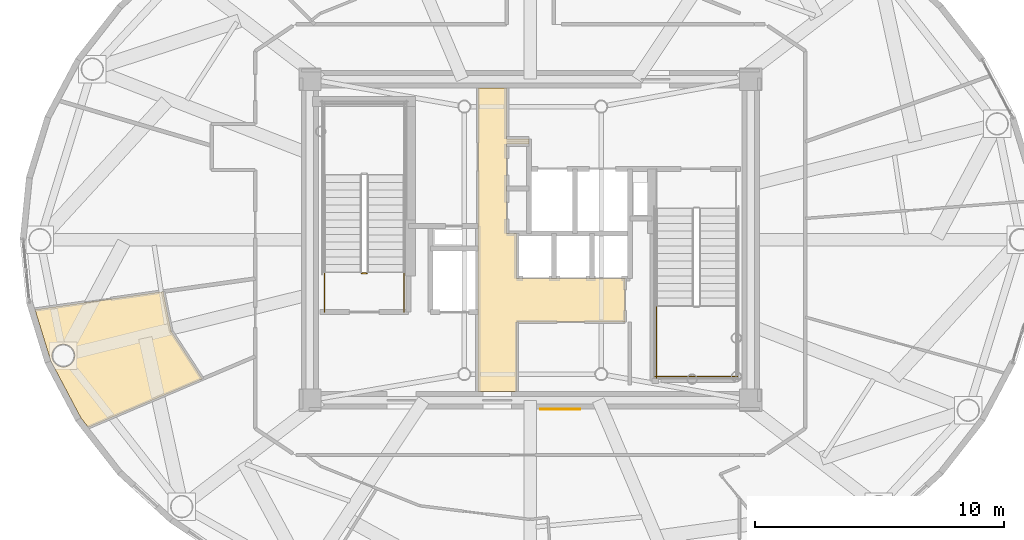
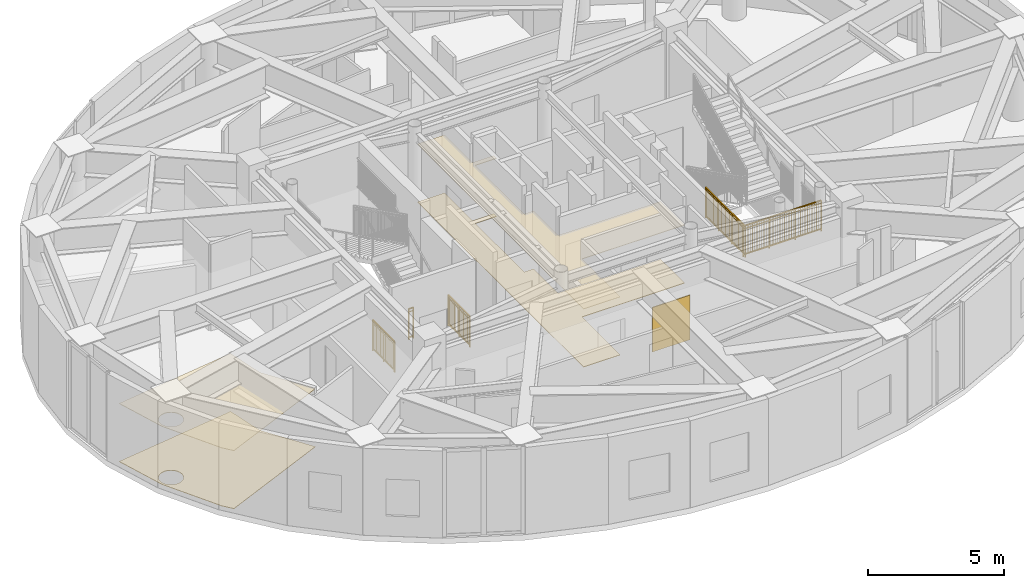
# One storey, part 18 of 23: 5 coverings, 5 railings.
"""IFC4 building model written with IfcOpenShell, lengths in metres."""

from ifc_helpers import new_model, si_unit, direction, frame, origin, origin_2d, place, context, subcontext, project, spatial, polyline, rectangle, outline, extrude, source, transform, mapped, material, layer, layer_set, type_object, element, save


model = new_model("IFC4")

# Units and contexts
model_context = context("Model", 3, precision=1e-05, world=origin(), true_north=direction((0.0, 1.0)))
body_context = subcontext(model_context, "Body", "Model", "MODEL_VIEW")
ifc_project = project(units=[si_unit("LENGTHUNIT", "METRE"), si_unit("AREAUNIT", "SQUARE_METRE"), si_unit("VOLUMEUNIT", "CUBIC_METRE"), si_unit("PLANEANGLEUNIT", "RADIAN"), si_unit("MASSUNIT", "GRAM", prefix="KILO")], contexts=[model_context])

# Site, building, storey
site_placement = place(None, origin())
site = spatial("IfcSite", under=ifc_project, at=site_placement, CompositionType="ELEMENT")
building_placement = place(site_placement, origin())
building = spatial("IfcBuilding", under=site, at=building_placement, Name="Linh Dai School and Residence Tower", CompositionType="ELEMENT")
storey_placement = place(building_placement, frame((0.0, 0.0, 359.39990234375)))
storey = spatial("IfcBuildingStorey", under=building, at=storey_placement, Name="L89", CompositionType="ELEMENT", Elevation=359.39990234375)

# Coverings
ifc_material_1 = material(Name="Mineral Fibre Acoustic Suspended Ceiling", Category="masonry")
ifc_layer_1 = layer(ifc_material_1, 0.02001953125)
ifc_layer_set_1 = layer_set([ifc_layer_1], Name="Mineral Fibre Acoustic Suspended Ceiling")
covering_type_1 = type_object("IfcCoveringType", Name="COV-CEIL-AC-20", PredefinedType="CEILING", material=ifc_layer_set_1)
covering_1_placement = place(storey_placement, frame((0.0, 0.0, 2.60009765625)))
element("IfcCovering", 1, at=covering_1_placement, inside=storey, type_object=covering_type_1, Name="L89 Passenger Lift Lobby Suspended Ceiling", PredefinedType="CEILING", context=body_context, shape_type="SweptSolid", body=[
    extrude(outline(polyline([(35.050048828125, 33.10009765625), (35.050048828125, 31.050048828125), (35.949951171875, 31.050048828125), (35.949951171875, 30.85009765625), (35.050048828125, 30.85009765625), (35.050048828125, 27.25), (35.449951171875, 27.25), (35.449951171875, 25.449951171875), (39.800048828125, 25.449951171875), (39.800048828125, 23.699951171875), (35.449951171875, 23.699951171875), (35.449951171875, 20.89990234375), (33.89990234375, 20.89990234375), (33.89990234375, 33.10009765625), (35.050048828125, 33.10009765625)])), origin(), (0.0, 0.0, 1.0), 0.02001953125),
])
covering_2_placement = place(storey_placement, frame((0.0, 0.0, 2.60009765625)))
element("IfcCovering", 2, at=covering_2_placement, inside=storey, type_object=covering_type_1, Name="L89 Amenity Tea Salon Suspended Ceiling", PredefinedType="CEILING", context=body_context, shape_type="SweptSolid", body=[
    extrude(outline(polyline([(16.104248046875, 24.189697265625), (21.251220703125, 24.916748046875), (21.572509765625, 23.32861328125), (22.822998046875, 21.40673828125), (18.24462890625, 19.46337890625), (17.94384765625, 19.847412109375), (16.734375, 22.134521484375), (16.104248046875, 24.189697265625)]), holes=[polyline([(17.6884765625, 22.46484375), (17.642333984375, 22.576416015625), (17.569091796875, 22.672119140625), (17.473388671875, 22.745361328125), (17.36181640625, 22.79150390625), (17.2421875, 22.807373046875), (17.122802734375, 22.79150390625), (17.01123046875, 22.745361328125), (16.91552734375, 22.672119140625), (16.84228515625, 22.576416015625), (16.7958984375, 22.46484375), (16.7802734375, 22.34521484375), (16.7958984375, 22.2255859375), (16.84228515625, 22.1142578125), (16.91552734375, 22.0185546875), (17.01123046875, 21.9453125), (17.122802734375, 21.89892578125), (17.2421875, 21.88330078125), (17.36181640625, 21.89892578125), (17.473388671875, 21.9453125), (17.569091796875, 22.0185546875), (17.642333984375, 22.1142578125), (17.6884765625, 22.2255859375), (17.704345703125, 22.34521484375), (17.6884765625, 22.46484375)])]), origin(), (0.0, 0.0, 1.0), 0.02001953125),
])
ifc_material_2 = material(Name="Polished Terrazzo Floor Finish", Category="masonry")
ifc_layer_2 = layer(ifc_material_2, 0.02490234375)
ifc_layer_set_2 = layer_set([ifc_layer_2], Name="Polished Terrazzo Floor Finish")
covering_type_2 = type_object("IfcCoveringType", Name="COV-FLR-TRZ-25", PredefinedType="FLOORING", material=ifc_layer_set_2)
covering_3_placement = place(storey_placement, origin())
element("IfcCovering", 3, at=covering_3_placement, inside=storey, type_object=covering_type_2, Name="L89 Passenger Lift Lobby Floor Finish", PredefinedType="FLOORING", context=body_context, shape_type="SweptSolid", body=[
    extrude(outline(polyline([(35.050048828125, 33.10009765625), (35.050048828125, 31.050048828125), (35.949951171875, 31.050048828125), (35.949951171875, 30.85009765625), (35.050048828125, 30.85009765625), (35.050048828125, 27.25), (35.449951171875, 27.25), (35.449951171875, 25.449951171875), (39.800048828125, 25.449951171875), (39.800048828125, 23.699951171875), (35.449951171875, 23.699951171875), (35.449951171875, 20.89990234375), (33.89990234375, 20.89990234375), (33.89990234375, 33.10009765625), (35.050048828125, 33.10009765625)])), origin(), (0.0, 0.0, 1.0), 0.02001953125),
])
covering_4_placement = place(storey_placement, origin())
element("IfcCovering", 4, at=covering_4_placement, inside=storey, type_object=covering_type_2, Name="L89 Amenity Tea Salon Floor Finish", PredefinedType="FLOORING", context=body_context, shape_type="SweptSolid", body=[
    extrude(outline(polyline([(16.104248046875, 24.189697265625), (21.251220703125, 24.916748046875), (21.572509765625, 23.32861328125), (22.822998046875, 21.40673828125), (18.24462890625, 19.46337890625), (17.94384765625, 19.847412109375), (16.734375, 22.134521484375), (16.104248046875, 24.189697265625)]), holes=[polyline([(17.6884765625, 22.46484375), (17.642333984375, 22.576416015625), (17.569091796875, 22.672119140625), (17.473388671875, 22.745361328125), (17.36181640625, 22.79150390625), (17.2421875, 22.807373046875), (17.122802734375, 22.79150390625), (17.01123046875, 22.745361328125), (16.91552734375, 22.672119140625), (16.84228515625, 22.576416015625), (16.7958984375, 22.46484375), (16.7802734375, 22.34521484375), (16.7958984375, 22.2255859375), (16.84228515625, 22.1142578125), (16.91552734375, 22.0185546875), (17.01123046875, 21.9453125), (17.122802734375, 21.89892578125), (17.2421875, 21.88330078125), (17.36181640625, 21.89892578125), (17.473388671875, 21.9453125), (17.569091796875, 22.0185546875), (17.642333984375, 22.1142578125), (17.6884765625, 22.2255859375), (17.704345703125, 22.34521484375), (17.6884765625, 22.46484375)])]), origin(), (0.0, 0.0, 1.0), 0.02001953125),
])

# Railings
ifc_material_3 = material(Name="Structural Steel S355JR", Category="steel")
railing_type = type_object("IfcRailingType", Name="RL-ST-GUARD-1400", PredefinedType="GUARDRAIL", material=ifc_material_3)
shared_shape_1 = source(origin(), body_context, "Body", "SweptSolid", [
    extrude(rectangle(XDim=0.048095703125, YDim=0.048095703125, at=origin_2d()), frame((0.0, 0.0, 1.3759765625), z_axis=(-1.0, 0.0, 0.0), x_axis=(0.0, -1.0, 0.0)), (0.0, 0.0, 1.0), 0.199951171875),
    extrude(rectangle(XDim=0.048095703125, YDim=0.048095703125, at=origin_2d()), frame((0.0, 0.0, 0.10009765625), z_axis=(-1.0, 0.0, 0.0), x_axis=(0.0, -1.0, 0.0)), (0.0, 0.0, 1.0), 0.199951171875),
    extrude(rectangle(XDim=0.030029296875, YDim=0.030029296875, at=origin_2d()), frame((0.0, 0.0, 1.239990234375), z_axis=(-1.0, 0.0, 0.0), x_axis=(0.0, -1.0, 0.0)), (0.0, 0.0, 1.0), 0.199951171875),
    extrude(rectangle(XDim=0.0419921875, YDim=0.0419921875, at=origin_2d()), origin(), (0.0, 0.0, 1.0), 1.3759765625),
    extrude(rectangle(XDim=0.0419921875, YDim=0.0419921875, at=origin_2d()), frame((-0.199951171875, 0.0, 0.0)), (0.0, 0.0, 1.0), 1.3759765625),
])
railing_1_placement = place(storey_placement, frame((29.429931640625, 25.64990234375, 0.0)))
element("IfcRailing", 5, at=railing_1_placement, inside=storey, type_object=railing_type, Name="L89 ST1 stair guard 7", PredefinedType="GUARDRAIL", context=body_context, shape_type="MappedRepresentation", body=[
    mapped(shared_shape_1, transform((0.0, 0.0, 0.0), x_axis=(1.0, 0.0, 0.0), y_axis=(0.0, 1.0, 0.0), z_axis=(0.0, 0.0, 1.0), scale=1.0)),
])
shared_shape_2 = source(origin(), body_context, "Body", "SweptSolid", [
    extrude(rectangle(XDim=0.048095703125, YDim=0.048095703125, at=origin_2d()), frame((0.0, 0.0, 1.3759765625), z_axis=(0.0, 1.0, 0.0), x_axis=(-1.0, 0.0, 0.0)), (0.0, 0.0, 1.0), 1.599853515625),
    extrude(rectangle(XDim=0.048095703125, YDim=0.048095703125, at=origin_2d()), frame((0.0, 0.0, 0.10009765625), z_axis=(0.0, 1.0, 0.0), x_axis=(-1.0, 0.0, 0.0)), (0.0, 0.0, 1.0), 1.599853515625),
    extrude(rectangle(XDim=0.030029296875, YDim=0.030029296875, at=origin_2d()), frame((0.0, 0.0, 1.239990234375), z_axis=(0.0, 1.0, 0.0), x_axis=(-1.0, 0.0, 0.0)), (0.0, 0.0, 1.0), 1.599853515625),
    extrude(rectangle(XDim=0.02001953125, YDim=0.02001953125, at=origin_2d()), frame((0.0, 0.093994140625, 0.10009765625)), (0.0, 0.0, 1.0), 1.251708984375),
    extrude(rectangle(XDim=0.02001953125, YDim=0.02001953125, at=origin_2d()), frame((0.0, 0.188232421875, 0.10009765625)), (0.0, 0.0, 1.0), 1.251708984375),
    extrude(rectangle(XDim=0.02001953125, YDim=0.02001953125, at=origin_2d()), frame((0.0, 0.2822265625, 0.10009765625)), (0.0, 0.0, 1.0), 1.251708984375),
    extrude(rectangle(XDim=0.02001953125, YDim=0.02001953125, at=origin_2d()), frame((0.0, 0.37646484375, 0.10009765625)), (0.0, 0.0, 1.0), 1.251708984375),
    extrude(rectangle(XDim=0.02001953125, YDim=0.02001953125, at=origin_2d()), frame((0.0, 0.470458984375, 0.10009765625)), (0.0, 0.0, 1.0), 1.251708984375),
    extrude(rectangle(XDim=0.02001953125, YDim=0.02001953125, at=origin_2d()), frame((0.0, 0.564697265625, 0.10009765625)), (0.0, 0.0, 1.0), 1.251708984375),
    extrude(rectangle(XDim=0.02001953125, YDim=0.02001953125, at=origin_2d()), frame((0.0, 0.65869140625, 0.10009765625)), (0.0, 0.0, 1.0), 1.251708984375),
    extrude(rectangle(XDim=0.02001953125, YDim=0.02001953125, at=origin_2d()), frame((0.0, 0.7529296875, 0.10009765625)), (0.0, 0.0, 1.0), 1.251708984375),
    extrude(rectangle(XDim=0.02001953125, YDim=0.02001953125, at=origin_2d()), frame((0.0, 0.846923828125, 0.10009765625)), (0.0, 0.0, 1.0), 1.251708984375),
    extrude(rectangle(XDim=0.02001953125, YDim=0.02001953125, at=origin_2d()), frame((0.0, 0.941162109375, 0.10009765625)), (0.0, 0.0, 1.0), 1.251708984375),
    extrude(rectangle(XDim=0.02001953125, YDim=0.02001953125, at=origin_2d()), frame((0.0, 1.03515625, 0.10009765625)), (0.0, 0.0, 1.0), 1.251708984375),
    extrude(rectangle(XDim=0.02001953125, YDim=0.02001953125, at=origin_2d()), frame((0.0, 1.12939453125, 0.10009765625)), (0.0, 0.0, 1.0), 1.251708984375),
    extrude(rectangle(XDim=0.02001953125, YDim=0.02001953125, at=origin_2d()), frame((0.0, 1.223388671875, 0.10009765625)), (0.0, 0.0, 1.0), 1.251708984375),
    extrude(rectangle(XDim=0.02001953125, YDim=0.02001953125, at=origin_2d()), frame((0.0, 1.317626953125, 0.10009765625)), (0.0, 0.0, 1.0), 1.251708984375),
    extrude(rectangle(XDim=0.02001953125, YDim=0.02001953125, at=origin_2d()), frame((0.0, 1.41162109375, 0.10009765625)), (0.0, 0.0, 1.0), 1.251708984375),
    extrude(rectangle(XDim=0.02001953125, YDim=0.02001953125, at=origin_2d()), frame((0.0, 1.505859375, 0.10009765625)), (0.0, 0.0, 1.0), 1.251708984375),
    extrude(rectangle(XDim=0.0419921875, YDim=0.0419921875, at=origin_2d()), origin(), (0.0, 0.0, 1.0), 1.3759765625),
    extrude(rectangle(XDim=0.0419921875, YDim=0.0419921875, at=origin_2d()), frame((0.0, 0.7998046875, 0.0)), (0.0, 0.0, 1.0), 1.3759765625),
    extrude(rectangle(XDim=0.0419921875, YDim=0.0419921875, at=origin_2d()), frame((0.0, 1.599853515625, 0.0)), (0.0, 0.0, 1.0), 1.3759765625),
])
for number, where, name in (
    (6, (30.929931640625, 24.10009765625, 0.0), "L89 ST1 stair guard 8"),
    (7, (27.72998046875, 24.10009765625, 0.0), "L89 ST1 stair guard 9"),
):
    element("IfcRailing", number, at=place(storey_placement, frame(where)), inside=storey, type_object=railing_type, Name=name, PredefinedType="GUARDRAIL", context=body_context, shape_type="MappedRepresentation", body=[
        mapped(shared_shape_2, transform((0.0, 0.0, 0.0), x_axis=(1.0, 0.0, 0.0), y_axis=(0.0, 1.0, 0.0), z_axis=(0.0, 0.0, 1.0), scale=1.0)),
    ])
shared_shape_3 = source(origin(), body_context, "Body", "SweptSolid", [
    extrude(rectangle(XDim=0.048095703125, YDim=0.048095703125, at=origin_2d()), frame((0.0, 0.0, 1.3759765625), z_axis=(1.0, 0.0, 0.0), x_axis=(0.0, 1.0, 0.0)), (0.0, 0.0, 1.0), 3.300048828125),
    extrude(rectangle(XDim=0.048095703125, YDim=0.048095703125, at=origin_2d()), frame((0.0, 0.0, 0.10009765625), z_axis=(1.0, 0.0, 0.0), x_axis=(0.0, 1.0, 0.0)), (0.0, 0.0, 1.0), 3.300048828125),
    extrude(rectangle(XDim=0.030029296875, YDim=0.030029296875, at=origin_2d()), frame((0.0, 0.0, 1.239990234375), z_axis=(1.0, 0.0, 0.0), x_axis=(0.0, 1.0, 0.0)), (0.0, 0.0, 1.0), 3.300048828125),
    extrude(rectangle(XDim=0.02001953125, YDim=0.02001953125, at=origin_2d()), frame((0.09716796875, 0.0, 0.10009765625)), (0.0, 0.0, 1.0), 1.251708984375),
    extrude(rectangle(XDim=0.02001953125, YDim=0.02001953125, at=origin_2d()), frame((0.194091796875, 0.0, 0.10009765625)), (0.0, 0.0, 1.0), 1.251708984375),
    extrude(rectangle(XDim=0.02001953125, YDim=0.02001953125, at=origin_2d()), frame((0.291259765625, 0.0, 0.10009765625)), (0.0, 0.0, 1.0), 1.251708984375),
    extrude(rectangle(XDim=0.02001953125, YDim=0.02001953125, at=origin_2d()), frame((0.38818359375, 0.0, 0.10009765625)), (0.0, 0.0, 1.0), 1.251708984375),
    extrude(rectangle(XDim=0.02001953125, YDim=0.02001953125, at=origin_2d()), frame((0.4853515625, 0.0, 0.10009765625)), (0.0, 0.0, 1.0), 1.251708984375),
    extrude(rectangle(XDim=0.02001953125, YDim=0.02001953125, at=origin_2d()), frame((0.582275390625, 0.0, 0.10009765625)), (0.0, 0.0, 1.0), 1.251708984375),
    extrude(rectangle(XDim=0.02001953125, YDim=0.02001953125, at=origin_2d()), frame((0.679443359375, 0.0, 0.10009765625)), (0.0, 0.0, 1.0), 1.251708984375),
    extrude(rectangle(XDim=0.02001953125, YDim=0.02001953125, at=origin_2d()), frame((0.7763671875, 0.0, 0.10009765625)), (0.0, 0.0, 1.0), 1.251708984375),
    extrude(rectangle(XDim=0.02001953125, YDim=0.02001953125, at=origin_2d()), frame((0.87353515625, 0.0, 0.10009765625)), (0.0, 0.0, 1.0), 1.251708984375),
    extrude(rectangle(XDim=0.02001953125, YDim=0.02001953125, at=origin_2d()), frame((0.970703125, 0.0, 0.10009765625)), (0.0, 0.0, 1.0), 1.251708984375),
    extrude(rectangle(XDim=0.02001953125, YDim=0.02001953125, at=origin_2d()), frame((1.164794921875, 0.0, 0.10009765625)), (0.0, 0.0, 1.0), 1.251708984375),
    extrude(rectangle(XDim=0.02001953125, YDim=0.02001953125, at=origin_2d()), frame((1.26171875, 0.0, 0.10009765625)), (0.0, 0.0, 1.0), 1.251708984375),
    extrude(rectangle(XDim=0.02001953125, YDim=0.02001953125, at=origin_2d()), frame((1.35888671875, 0.0, 0.10009765625)), (0.0, 0.0, 1.0), 1.251708984375),
    extrude(rectangle(XDim=0.02001953125, YDim=0.02001953125, at=origin_2d()), frame((1.455810546875, 0.0, 0.10009765625)), (0.0, 0.0, 1.0), 1.251708984375),
    extrude(rectangle(XDim=0.02001953125, YDim=0.02001953125, at=origin_2d()), frame((1.552978515625, 0.0, 0.10009765625)), (0.0, 0.0, 1.0), 1.251708984375),
    extrude(rectangle(XDim=0.02001953125, YDim=0.02001953125, at=origin_2d()), frame((1.64990234375, 0.0, 0.10009765625)), (0.0, 0.0, 1.0), 1.251708984375),
    extrude(rectangle(XDim=0.02001953125, YDim=0.02001953125, at=origin_2d()), frame((1.7470703125, 0.0, 0.10009765625)), (0.0, 0.0, 1.0), 1.251708984375),
    extrude(rectangle(XDim=0.02001953125, YDim=0.02001953125, at=origin_2d()), frame((1.84423828125, 0.0, 0.10009765625)), (0.0, 0.0, 1.0), 1.251708984375),
    extrude(rectangle(XDim=0.02001953125, YDim=0.02001953125, at=origin_2d()), frame((1.941162109375, 0.0, 0.10009765625)), (0.0, 0.0, 1.0), 1.251708984375),
    extrude(rectangle(XDim=0.02001953125, YDim=0.02001953125, at=origin_2d()), frame((2.038330078125, 0.0, 0.10009765625)), (0.0, 0.0, 1.0), 1.251708984375),
    extrude(rectangle(XDim=0.02001953125, YDim=0.02001953125, at=origin_2d()), frame((2.13525390625, 0.0, 0.10009765625)), (0.0, 0.0, 1.0), 1.251708984375),
    extrude(rectangle(XDim=0.02001953125, YDim=0.02001953125, at=origin_2d()), frame((2.329345703125, 0.0, 0.10009765625)), (0.0, 0.0, 1.0), 1.251708984375),
    extrude(rectangle(XDim=0.02001953125, YDim=0.02001953125, at=origin_2d()), frame((2.426513671875, 0.0, 0.10009765625)), (0.0, 0.0, 1.0), 1.251708984375),
    extrude(rectangle(XDim=0.02001953125, YDim=0.02001953125, at=origin_2d()), frame((2.523681640625, 0.0, 0.10009765625)), (0.0, 0.0, 1.0), 1.251708984375),
    extrude(rectangle(XDim=0.02001953125, YDim=0.02001953125, at=origin_2d()), frame((2.62060546875, 0.0, 0.10009765625)), (0.0, 0.0, 1.0), 1.251708984375),
    extrude(rectangle(XDim=0.02001953125, YDim=0.02001953125, at=origin_2d()), frame((2.7177734375, 0.0, 0.10009765625)), (0.0, 0.0, 1.0), 1.251708984375),
    extrude(rectangle(XDim=0.02001953125, YDim=0.02001953125, at=origin_2d()), frame((2.814697265625, 0.0, 0.10009765625)), (0.0, 0.0, 1.0), 1.251708984375),
    extrude(rectangle(XDim=0.02001953125, YDim=0.02001953125, at=origin_2d()), frame((2.911865234375, 0.0, 0.10009765625)), (0.0, 0.0, 1.0), 1.251708984375),
    extrude(rectangle(XDim=0.02001953125, YDim=0.02001953125, at=origin_2d()), frame((3.0087890625, 0.0, 0.10009765625)), (0.0, 0.0, 1.0), 1.251708984375),
    extrude(rectangle(XDim=0.02001953125, YDim=0.02001953125, at=origin_2d()), frame((3.10595703125, 0.0, 0.10009765625)), (0.0, 0.0, 1.0), 1.251708984375),
    extrude(rectangle(XDim=0.02001953125, YDim=0.02001953125, at=origin_2d()), frame((3.202880859375, 0.0, 0.10009765625)), (0.0, 0.0, 1.0), 1.251708984375),
    extrude(rectangle(XDim=0.0419921875, YDim=0.0419921875, at=origin_2d()), origin(), (0.0, 0.0, 1.0), 1.3759765625),
    extrude(rectangle(XDim=0.0419921875, YDim=0.0419921875, at=origin_2d()), frame((1.10009765625, 0.0, 0.0)), (0.0, 0.0, 1.0), 1.3759765625),
    extrude(rectangle(XDim=0.0419921875, YDim=0.0419921875, at=origin_2d()), frame((2.199951171875, 0.0, 0.0)), (0.0, 0.0, 1.0), 1.3759765625),
    extrude(rectangle(XDim=0.0419921875, YDim=0.0419921875, at=origin_2d()), frame((3.300048828125, 0.0, 0.0)), (0.0, 0.0, 1.0), 1.3759765625),
])
railing_2_placement = place(storey_placement, frame((41.02001953125, 21.5, 2.10009765625)))
element("IfcRailing", 8, at=railing_2_placement, inside=storey, type_object=railing_type, Name="L89 ST2 stair guard 5", PredefinedType="GUARDRAIL", context=body_context, shape_type="MappedRepresentation", body=[
    mapped(shared_shape_3, transform((0.0, 0.0, 0.0), x_axis=(1.0, 0.0, 0.0), y_axis=(0.0, 1.0, 0.0), z_axis=(0.0, 0.0, 1.0), scale=1.0)),
])
shared_shape_4 = source(origin(), body_context, "Body", "SweptSolid", [
    extrude(rectangle(XDim=0.048095703125, YDim=0.048095703125, at=origin_2d()), frame((0.0, 0.0, 1.3759765625), z_axis=(0.0, -1.0, 0.0), x_axis=(1.0, 0.0, 0.0)), (0.0, 0.0, 1.0), 2.900146484375),
    extrude(rectangle(XDim=0.048095703125, YDim=0.048095703125, at=origin_2d()), frame((0.0, 0.0, 0.10009765625), z_axis=(0.0, -1.0, 0.0), x_axis=(1.0, 0.0, 0.0)), (0.0, 0.0, 1.0), 2.900146484375),
    extrude(rectangle(XDim=0.030029296875, YDim=0.030029296875, at=origin_2d()), frame((0.0, 0.0, 1.239990234375), z_axis=(0.0, -1.0, 0.0), x_axis=(1.0, 0.0, 0.0)), (0.0, 0.0, 1.0), 2.900146484375),
    extrude(rectangle(XDim=0.02001953125, YDim=0.02001953125, at=origin_2d()), frame((0.0, -0.0966796875, 0.10009765625)), (0.0, 0.0, 1.0), 1.251708984375),
    extrude(rectangle(XDim=0.02001953125, YDim=0.02001953125, at=origin_2d()), frame((0.0, -0.193359375, 0.10009765625)), (0.0, 0.0, 1.0), 1.251708984375),
    extrude(rectangle(XDim=0.02001953125, YDim=0.02001953125, at=origin_2d()), frame((0.0, -0.2900390625, 0.10009765625)), (0.0, 0.0, 1.0), 1.251708984375),
    extrude(rectangle(XDim=0.02001953125, YDim=0.02001953125, at=origin_2d()), frame((0.0, -0.38671875, 0.10009765625)), (0.0, 0.0, 1.0), 1.251708984375),
    extrude(rectangle(XDim=0.02001953125, YDim=0.02001953125, at=origin_2d()), frame((0.0, -0.4833984375, 0.10009765625)), (0.0, 0.0, 1.0), 1.251708984375),
    extrude(rectangle(XDim=0.02001953125, YDim=0.02001953125, at=origin_2d()), frame((0.0, -0.580078125, 0.10009765625)), (0.0, 0.0, 1.0), 1.251708984375),
    extrude(rectangle(XDim=0.02001953125, YDim=0.02001953125, at=origin_2d()), frame((0.0, -0.6767578125, 0.10009765625)), (0.0, 0.0, 1.0), 1.251708984375),
    extrude(rectangle(XDim=0.02001953125, YDim=0.02001953125, at=origin_2d()), frame((0.0, -0.7734375, 0.10009765625)), (0.0, 0.0, 1.0), 1.251708984375),
    extrude(rectangle(XDim=0.02001953125, YDim=0.02001953125, at=origin_2d()), frame((0.0, -0.8701171875, 0.10009765625)), (0.0, 0.0, 1.0), 1.251708984375),
    extrude(rectangle(XDim=0.02001953125, YDim=0.02001953125, at=origin_2d()), frame((0.0, -1.0634765625, 0.10009765625)), (0.0, 0.0, 1.0), 1.251708984375),
    extrude(rectangle(XDim=0.02001953125, YDim=0.02001953125, at=origin_2d()), frame((0.0, -1.16015625, 0.10009765625)), (0.0, 0.0, 1.0), 1.251708984375),
    extrude(rectangle(XDim=0.02001953125, YDim=0.02001953125, at=origin_2d()), frame((0.0, -1.2568359375, 0.10009765625)), (0.0, 0.0, 1.0), 1.251708984375),
    extrude(rectangle(XDim=0.02001953125, YDim=0.02001953125, at=origin_2d()), frame((0.0, -1.353515625, 0.10009765625)), (0.0, 0.0, 1.0), 1.251708984375),
    extrude(rectangle(XDim=0.02001953125, YDim=0.02001953125, at=origin_2d()), frame((0.0, -1.4501953125, 0.10009765625)), (0.0, 0.0, 1.0), 1.251708984375),
    extrude(rectangle(XDim=0.02001953125, YDim=0.02001953125, at=origin_2d()), frame((0.0, -1.546630859375, 0.10009765625)), (0.0, 0.0, 1.0), 1.251708984375),
    extrude(rectangle(XDim=0.02001953125, YDim=0.02001953125, at=origin_2d()), frame((0.0, -1.643310546875, 0.10009765625)), (0.0, 0.0, 1.0), 1.251708984375),
    extrude(rectangle(XDim=0.02001953125, YDim=0.02001953125, at=origin_2d()), frame((0.0, -1.739990234375, 0.10009765625)), (0.0, 0.0, 1.0), 1.251708984375),
    extrude(rectangle(XDim=0.02001953125, YDim=0.02001953125, at=origin_2d()), frame((0.0, -1.836669921875, 0.10009765625)), (0.0, 0.0, 1.0), 1.251708984375),
    extrude(rectangle(XDim=0.02001953125, YDim=0.02001953125, at=origin_2d()), frame((0.0, -2.030029296875, 0.10009765625)), (0.0, 0.0, 1.0), 1.251708984375),
    extrude(rectangle(XDim=0.02001953125, YDim=0.02001953125, at=origin_2d()), frame((0.0, -2.126708984375, 0.10009765625)), (0.0, 0.0, 1.0), 1.251708984375),
    extrude(rectangle(XDim=0.02001953125, YDim=0.02001953125, at=origin_2d()), frame((0.0, -2.223388671875, 0.10009765625)), (0.0, 0.0, 1.0), 1.251708984375),
    extrude(rectangle(XDim=0.02001953125, YDim=0.02001953125, at=origin_2d()), frame((0.0, -2.320068359375, 0.10009765625)), (0.0, 0.0, 1.0), 1.251708984375),
    extrude(rectangle(XDim=0.02001953125, YDim=0.02001953125, at=origin_2d()), frame((0.0, -2.416748046875, 0.10009765625)), (0.0, 0.0, 1.0), 1.251708984375),
    extrude(rectangle(XDim=0.02001953125, YDim=0.02001953125, at=origin_2d()), frame((0.0, -2.513427734375, 0.10009765625)), (0.0, 0.0, 1.0), 1.251708984375),
    extrude(rectangle(XDim=0.02001953125, YDim=0.02001953125, at=origin_2d()), frame((0.0, -2.610107421875, 0.10009765625)), (0.0, 0.0, 1.0), 1.251708984375),
    extrude(rectangle(XDim=0.02001953125, YDim=0.02001953125, at=origin_2d()), frame((0.0, -2.706787109375, 0.10009765625)), (0.0, 0.0, 1.0), 1.251708984375),
    extrude(rectangle(XDim=0.02001953125, YDim=0.02001953125, at=origin_2d()), frame((0.0, -2.803466796875, 0.10009765625)), (0.0, 0.0, 1.0), 1.251708984375),
    extrude(rectangle(XDim=0.0419921875, YDim=0.0419921875, at=origin_2d()), origin(), (0.0, 0.0, 1.0), 1.3759765625),
    extrude(rectangle(XDim=0.0419921875, YDim=0.0419921875, at=origin_2d()), frame((0.0, -0.966796875, 0.0)), (0.0, 0.0, 1.0), 1.3759765625),
    extrude(rectangle(XDim=0.0419921875, YDim=0.0419921875, at=origin_2d()), frame((0.0, -1.933349609375, 0.0)), (0.0, 0.0, 1.0), 1.3759765625),
    extrude(rectangle(XDim=0.0419921875, YDim=0.0419921875, at=origin_2d()), frame((0.0, -2.900146484375, 0.0)), (0.0, 0.0, 1.0), 1.3759765625),
])
railing_3_placement = place(storey_placement, frame((41.070068359375, 24.35009765625, 2.10009765625)))
element("IfcRailing", 9, at=railing_3_placement, inside=storey, type_object=railing_type, Name="L89 ST2 stair guard 3", PredefinedType="GUARDRAIL", context=body_context, shape_type="MappedRepresentation", body=[
    mapped(shared_shape_4, transform((0.0, 0.0, 0.0), x_axis=(1.0, 0.0, 0.0), y_axis=(0.0, 1.0, 0.0), z_axis=(0.0, 0.0, 1.0), scale=1.0)),
])

# Covering
ifc_material_4 = material(Name="Glazed Terracotta Acoustic Feature Cladding", Category="masonry")
ifc_layer_3 = layer(ifc_material_4, 0.030029296875)
ifc_layer_set_3 = layer_set([ifc_layer_3], Name="Glazed Terracotta Acoustic Feature Cladding")
covering_type_3 = type_object("IfcCoveringType", Name="COV-CLAD-TC-30", PredefinedType="CLADDING", material=ifc_layer_set_3)
shared_shape_5 = source(origin(), body_context, "Body", "SweptSolid", [
    extrude(rectangle(XDim=1.60009765625, YDim=0.030029296875, at=origin_2d()), origin(), (0.0, 0.0, 1.0), 2.0),
])
covering_5_placement = place(storey_placement, frame((37.199951171875, 20.18505859375, 0.25), z_axis=(0.0, 0.0, 1.0), x_axis=(1.0, 0.0, 0.0)))
element("IfcCovering", 10, at=covering_5_placement, inside=storey, type_object=covering_type_3, Name="L89 Core Lobby Terracotta Feature Cladding", PredefinedType="CLADDING", context=body_context, shape_type="MappedRepresentation", body=[
    mapped(shared_shape_5, transform((0.0, 0.0, 0.0), x_axis=(1.0, 0.0, 0.0), y_axis=(0.0, 1.0, 0.0), z_axis=(0.0, 0.0, 1.0), scale=1.0)),
])

save(model, "model.ifc")
